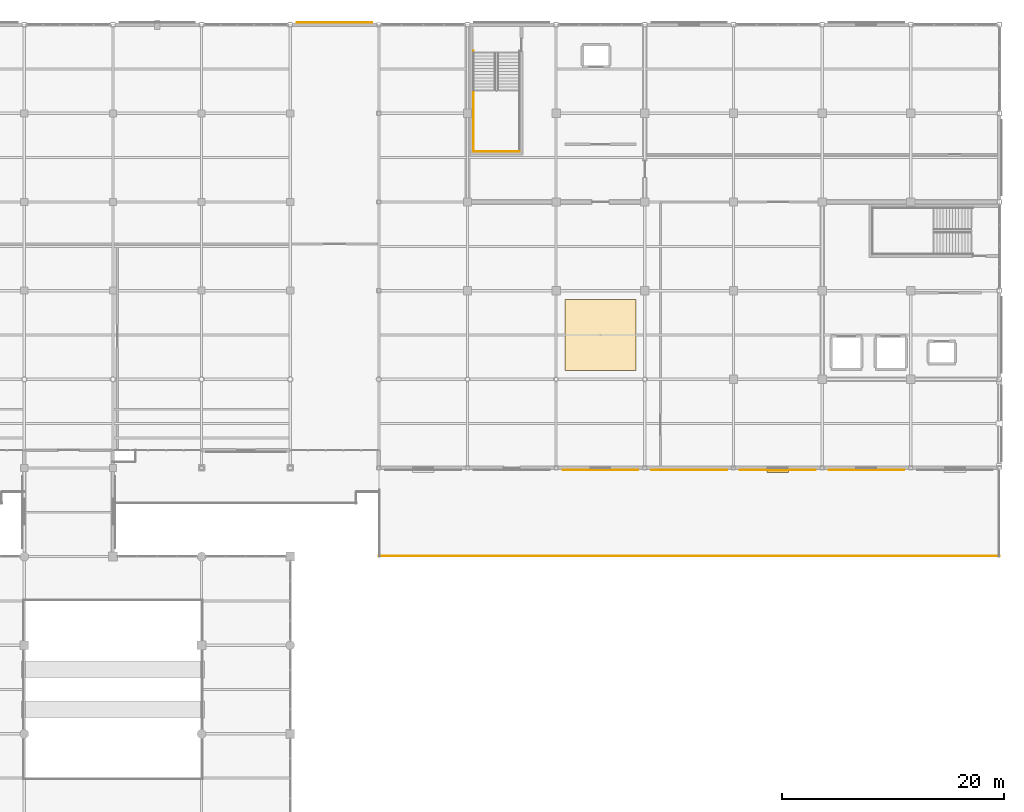
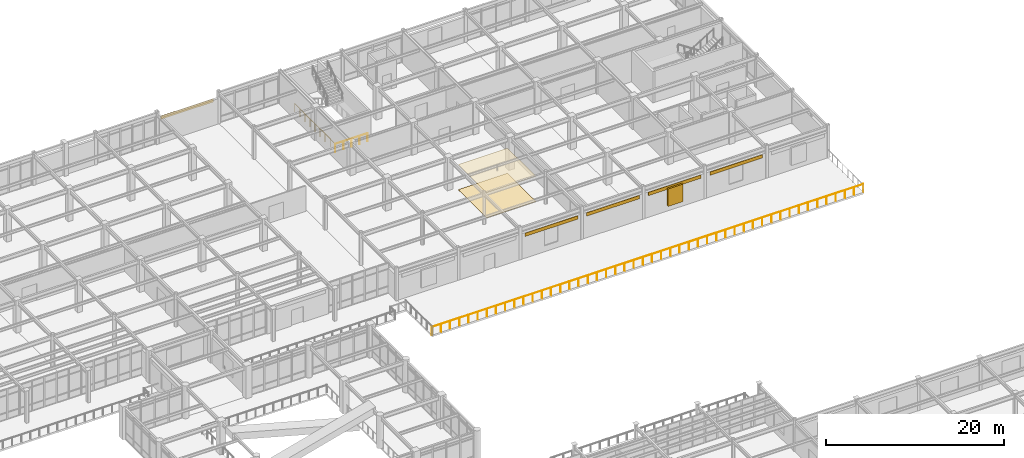
# One storey, part 107 of 111: 7 coverings, 3 railings, 1 shading device.
"""IFC4 building model written with IfcOpenShell, lengths in metres."""

from ifc_helpers import new_model, si_unit, direction, frame, origin, origin_2d, place, context, subcontext, project, spatial, polyline, rectangle, circle, outline, extrude, material, layer, layer_set, type_object, element, save


model = new_model("IFC4")

# Units and contexts
model_context = context("Model", 3, precision=1e-05, world=origin(), true_north=direction((0.0, 1.0)))
body_context = subcontext(model_context, "Body", "Model", "MODEL_VIEW")
ifc_project = project(units=[si_unit("LENGTHUNIT", "METRE"), si_unit("AREAUNIT", "SQUARE_METRE"), si_unit("VOLUMEUNIT", "CUBIC_METRE"), si_unit("PLANEANGLEUNIT", "RADIAN"), si_unit("MASSUNIT", "GRAM", prefix="KILO")], contexts=[model_context])

# Site, building, storey
site_placement = place(None, origin())
site = spatial("IfcSite", under=ifc_project, at=site_placement, CompositionType="ELEMENT")
building_placement = place(site_placement, origin())
building = spatial("IfcBuilding", under=site, at=building_placement, Name="Solmirada Galleria", CompositionType="ELEMENT")
storey_placement = place(building_placement, frame((0.0, 0.0, 10.39990234375)))
storey = spatial("IfcBuildingStorey", under=building, at=storey_placement, Name="L02", CompositionType="ELEMENT", Elevation=10.39990234375)

# Coverings
ifc_material_1 = material(Name="Perforated acoustic mineral-fibre ceiling")
ifc_layer_1 = layer(ifc_material_1, 0.02490234375)
ifc_layer_set_1 = layer_set([ifc_layer_1], Name="Perforated acoustic mineral-fibre ceiling")
covering_type_1 = type_object("IfcCoveringType", Name="COV-CEIL-ACOUST", PredefinedType="CEILING", material=ifc_layer_set_1)
covering_1_placement = place(storey_placement, frame((0.0, 0.0, 3.4501953125)))
element("IfcCovering", 1, at=covering_1_placement, inside=storey, type_object=covering_type_1, Name="Acoustic ceiling panel L02-3", PredefinedType="CEILING", context=body_context, shape_type="SweptSolid", body=[
    extrude(outline(polyline([(136.800048828125, 88.800048828125), (143.199951171875, 88.800048828125), (143.199951171875, 95.199951171875), (136.800048828125, 95.199951171875), (136.800048828125, 88.800048828125)])), origin(), (0.0, 0.0, 1.0), 0.02490234375),
])
ifc_material_2 = material(Name="Limestone cladding panels", Category="masonry")
ifc_layer_2 = layer(ifc_material_2, 0.044921875)
ifc_layer_set_2 = layer_set([ifc_layer_2], Name="Limestone cladding panels")
covering_type_2 = type_object("IfcCoveringType", Name="COV-CLAD-LIME", PredefinedType="CLADDING", material=ifc_layer_set_2)
covering_2_placement = place(storey_placement, frame((116.0, 120.177490234375, 2.990234375), z_axis=(0.0, 0.0, 1.0), x_axis=(1.0, 0.0, 0.0)))
element("IfcCovering", 2, at=covering_2_placement, inside=storey, type_object=covering_type_2, Name="Postmodern facade cladding L02-155", PredefinedType="CLADDING", context=body_context, shape_type="SweptSolid", body=[
    extrude(rectangle(XDim=6.819091796875, YDim=0.044921875, at=origin_2d()), origin(), (0.0, 0.0, 1.0), 0.4599609375),
])
for number, where, z_axis, x_axis, name in (
    (3, (164.0, 79.822509765625, 2.990234375), (0.0, 0.0, 1.0), (-1.0, 0.0, 0.0), "Postmodern facade cladding L02-163"),
    (4, (148.0, 79.822509765625, 2.990234375), (0.0, 0.0, 1.0), (-1.0, 0.0, 0.0), "Postmodern facade cladding L02-165"),
):
    element("IfcCovering", number, at=place(storey_placement, frame(where, z_axis=z_axis, x_axis=x_axis)), inside=storey, type_object=covering_type_2, Name=name, PredefinedType="CLADDING", context=body_context, shape_type="SweptSolid", body=[
        extrude(rectangle(XDim=6.843994140625, YDim=0.044921875, at=origin_2d()), origin(), (0.0, 0.0, 1.0), 0.4599609375),
    ])
ifc_material_3 = material(Name="Glazed terracotta facade panels", Category="masonry")
ifc_layer_3 = layer(ifc_material_3, 0.0400390625)
ifc_layer_set_3 = layer_set([ifc_layer_3], Name="Glazed terracotta facade panels")
covering_type_3 = type_object("IfcCoveringType", Name="COV-CLAD-TERRA", PredefinedType="CLADDING", material=ifc_layer_set_3)
for number, where, z_axis, x_axis, name in (
    (5, (156.0, 79.824951171875, 2.990234375), (0.0, 0.0, 1.0), (-1.0, 0.0, 0.0), "Postmodern facade cladding L02-164"),
    (6, (140.0, 79.824951171875, 2.990234375), (0.0, 0.0, 1.0), (-1.0, 0.0, 0.0), "Postmodern facade cladding L02-166"),
):
    element("IfcCovering", number, at=place(storey_placement, frame(where, z_axis=z_axis, x_axis=x_axis)), inside=storey, type_object=covering_type_3, Name=name, PredefinedType="CLADDING", context=body_context, shape_type="SweptSolid", body=[
        extrude(rectangle(XDim=6.843994140625, YDim=0.0400390625, at=origin_2d()), origin(), (0.0, 0.0, 1.0), 0.4599609375),
    ])
ifc_material_4 = material(Name="Polished terrazzo and porcelain tile flooring")
ifc_layer_4 = layer(ifc_material_4, 0.030029296875)
ifc_layer_set_4 = layer_set([ifc_layer_4], Name="Polished terrazzo and porcelain tile flooring")
covering_type_4 = type_object("IfcCoveringType", Name="COV-FLOOR-TERRAZ", PredefinedType="FLOORING", material=ifc_layer_set_4)
covering_3_placement = place(storey_placement, origin())
element("IfcCovering", 7, at=covering_3_placement, inside=storey, type_object=covering_type_4, Name="Terrazzo floor finish L02-3", PredefinedType="FLOORING", context=body_context, shape_type="SweptSolid", body=[
    extrude(outline(polyline([(136.800048828125, 88.800048828125), (143.199951171875, 88.800048828125), (143.199951171875, 95.199951171875), (136.800048828125, 95.199951171875), (136.800048828125, 88.800048828125)])), origin(), (0.0, 0.0, 1.0), 0.030029296875),
])

# Railings
ifc_material_5 = material(Name="Painted steel tubular railing", Category="steel")
railing_type_1 = type_object("IfcRailingType", Name="RAIL-STAIR-GUARD", PredefinedType="GUARDRAIL", material=ifc_material_5)
railing_1_placement = place(storey_placement, frame((132.7099609375, 108.5400390625, 0.0)))
element("IfcRailing", 8, at=railing_1_placement, inside=storey, type_object=railing_type_1, Name="Stair ST3 well edge guard L02-2", PredefinedType="GUARDRAIL", context=body_context, shape_type="SweptSolid", body=[
    extrude(circle(Radius=0.02392578125, at=origin_2d()), frame((0.0, 0.0, 1.09619140625), z_axis=(-1.0, 0.0, 0.0), x_axis=(0.0, -1.0, 0.0)), (0.0, 0.0, 1.0), 4.169921875),
    extrude(circle(Radius=0.02099609375, at=origin_2d()), origin(), (0.0, 0.0, 1.0), 1.068115234375),
    extrude(circle(Radius=0.02099609375, at=origin_2d()), frame((-1.04248046875, 0.0, 0.0)), (0.0, 0.0, 1.0), 1.068115234375),
    extrude(circle(Radius=0.02099609375, at=origin_2d()), frame((-2.0849609375, 0.0, 0.0)), (0.0, 0.0, 1.0), 1.068115234375),
    extrude(circle(Radius=0.02099609375, at=origin_2d()), frame((-3.12744140625, 0.0, 0.0)), (0.0, 0.0, 1.0), 1.068115234375),
    extrude(circle(Radius=0.02099609375, at=origin_2d()), frame((-4.169921875, 0.0, 0.0)), (0.0, 0.0, 1.0), 1.068115234375),
])
railing_2_placement = place(storey_placement, frame((128.5400390625, 108.5400390625, 0.0)))
element("IfcRailing", 9, at=railing_2_placement, inside=storey, type_object=railing_type_1, Name="Stair ST3 well edge guard L02-3", PredefinedType="GUARDRAIL", context=body_context, shape_type="SweptSolid", body=[
    extrude(circle(Radius=0.02392578125, at=origin_2d()), frame((0.0, 0.0, 1.09619140625), z_axis=(0.0, 1.0, 0.0), x_axis=(-1.0, 0.0, 0.0)), (0.0, 0.0, 1.0), 9.10986328125),
    extrude(circle(Radius=0.02099609375, at=origin_2d()), origin(), (0.0, 0.0, 1.0), 1.068115234375),
    extrude(circle(Radius=0.02099609375, at=origin_2d()), frame((0.0, 1.138671875, 0.0)), (0.0, 0.0, 1.0), 1.068115234375),
    extrude(circle(Radius=0.02099609375, at=origin_2d()), frame((0.0, 2.27734375, 0.0)), (0.0, 0.0, 1.0), 1.068115234375),
    extrude(circle(Radius=0.02099609375, at=origin_2d()), frame((0.0, 3.416259765625, 0.0)), (0.0, 0.0, 1.0), 1.068115234375),
    extrude(circle(Radius=0.02099609375, at=origin_2d()), frame((0.0, 4.554931640625, 0.0)), (0.0, 0.0, 1.0), 1.068115234375),
    extrude(circle(Radius=0.02099609375, at=origin_2d()), frame((0.0, 5.693603515625, 0.0)), (0.0, 0.0, 1.0), 1.068115234375),
    extrude(circle(Radius=0.02099609375, at=origin_2d()), frame((0.0, 6.83251953125, 0.0)), (0.0, 0.0, 1.0), 1.068115234375),
    extrude(circle(Radius=0.02099609375, at=origin_2d()), frame((0.0, 7.97119140625, 0.0)), (0.0, 0.0, 1.0), 1.068115234375),
    extrude(circle(Radius=0.02099609375, at=origin_2d()), frame((0.0, 9.10986328125, 0.0)), (0.0, 0.0, 1.0), 1.068115234375),
])
ifc_material_6 = material(Name="Painted galvanized steel balustrade", Category="steel")
railing_type_2 = type_object("IfcRailingType", Name="RAIL-TERR-1100", PredefinedType="GUARDRAIL", material=ifc_material_6)
railing_3_placement = place(storey_placement, frame((120.0, 72.050048828125, 0.0)))
element("IfcRailing", 10, at=railing_3_placement, inside=storey, type_object=railing_type_2, Name="Terrace guardrail L02-TERR-WING E1.1", PredefinedType="GUARDRAIL", context=body_context, shape_type="SweptSolid", body=[
    extrude(circle(Radius=0.02392578125, at=origin_2d()), frame((0.0, 0.0, 1.09619140625), z_axis=(1.0, 0.0, 0.0), x_axis=(0.0, 1.0, 0.0)), (0.0, 0.0, 1.0), 56.0),
    extrude(circle(Radius=0.02099609375, at=origin_2d()), origin(), (0.0, 0.0, 1.0), 1.068115234375),
    extrude(circle(Radius=0.02099609375, at=origin_2d()), frame((1.19140625, 0.0, 0.0)), (0.0, 0.0, 1.0), 1.068115234375),
    extrude(circle(Radius=0.02099609375, at=origin_2d()), frame((2.383056640625, 0.0, 0.0)), (0.0, 0.0, 1.0), 1.068115234375),
    extrude(circle(Radius=0.02099609375, at=origin_2d()), frame((3.574462890625, 0.0, 0.0)), (0.0, 0.0, 1.0), 1.068115234375),
    extrude(circle(Radius=0.02099609375, at=origin_2d()), frame((4.765869140625, 0.0, 0.0)), (0.0, 0.0, 1.0), 1.068115234375),
    extrude(circle(Radius=0.02099609375, at=origin_2d()), frame((5.95751953125, 0.0, 0.0)), (0.0, 0.0, 1.0), 1.068115234375),
    extrude(circle(Radius=0.02099609375, at=origin_2d()), frame((7.14892578125, 0.0, 0.0)), (0.0, 0.0, 1.0), 1.068115234375),
    extrude(circle(Radius=0.02099609375, at=origin_2d()), frame((8.34033203125, 0.0, 0.0)), (0.0, 0.0, 1.0), 1.068115234375),
    extrude(circle(Radius=0.02099609375, at=origin_2d()), frame((9.531982421875, 0.0, 0.0)), (0.0, 0.0, 1.0), 1.068115234375),
    extrude(circle(Radius=0.02099609375, at=origin_2d()), frame((10.723388671875, 0.0, 0.0)), (0.0, 0.0, 1.0), 1.068115234375),
    extrude(circle(Radius=0.02099609375, at=origin_2d()), frame((11.914794921875, 0.0, 0.0)), (0.0, 0.0, 1.0), 1.068115234375),
    extrude(circle(Radius=0.02099609375, at=origin_2d()), frame((13.1064453125, 0.0, 0.0)), (0.0, 0.0, 1.0), 1.068115234375),
    extrude(circle(Radius=0.02099609375, at=origin_2d()), frame((14.2978515625, 0.0, 0.0)), (0.0, 0.0, 1.0), 1.068115234375),
    extrude(circle(Radius=0.02099609375, at=origin_2d()), frame((15.4892578125, 0.0, 0.0)), (0.0, 0.0, 1.0), 1.068115234375),
    extrude(circle(Radius=0.02099609375, at=origin_2d()), frame((16.680908203125, 0.0, 0.0)), (0.0, 0.0, 1.0), 1.068115234375),
    extrude(circle(Radius=0.02099609375, at=origin_2d()), frame((17.872314453125, 0.0, 0.0)), (0.0, 0.0, 1.0), 1.068115234375),
    extrude(circle(Radius=0.02099609375, at=origin_2d()), frame((19.063720703125, 0.0, 0.0)), (0.0, 0.0, 1.0), 1.068115234375),
    extrude(circle(Radius=0.02099609375, at=origin_2d()), frame((20.25537109375, 0.0, 0.0)), (0.0, 0.0, 1.0), 1.068115234375),
    extrude(circle(Radius=0.02099609375, at=origin_2d()), frame((21.44677734375, 0.0, 0.0)), (0.0, 0.0, 1.0), 1.068115234375),
    extrude(circle(Radius=0.02099609375, at=origin_2d()), frame((22.63818359375, 0.0, 0.0)), (0.0, 0.0, 1.0), 1.068115234375),
    extrude(circle(Radius=0.02099609375, at=origin_2d()), frame((23.829833984375, 0.0, 0.0)), (0.0, 0.0, 1.0), 1.068115234375),
    extrude(circle(Radius=0.02099609375, at=origin_2d()), frame((25.021240234375, 0.0, 0.0)), (0.0, 0.0, 1.0), 1.068115234375),
    extrude(circle(Radius=0.02099609375, at=origin_2d()), frame((26.212646484375, 0.0, 0.0)), (0.0, 0.0, 1.0), 1.068115234375),
    extrude(circle(Radius=0.02099609375, at=origin_2d()), frame((27.404296875, 0.0, 0.0)), (0.0, 0.0, 1.0), 1.068115234375),
    extrude(circle(Radius=0.02099609375, at=origin_2d()), frame((28.595703125, 0.0, 0.0)), (0.0, 0.0, 1.0), 1.068115234375),
    extrude(circle(Radius=0.02099609375, at=origin_2d()), frame((29.787353515625, 0.0, 0.0)), (0.0, 0.0, 1.0), 1.068115234375),
    extrude(circle(Radius=0.02099609375, at=origin_2d()), frame((30.978759765625, 0.0, 0.0)), (0.0, 0.0, 1.0), 1.068115234375),
    extrude(circle(Radius=0.02099609375, at=origin_2d()), frame((32.170166015625, 0.0, 0.0)), (0.0, 0.0, 1.0), 1.068115234375),
    extrude(circle(Radius=0.02099609375, at=origin_2d()), frame((33.36181640625, 0.0, 0.0)), (0.0, 0.0, 1.0), 1.068115234375),
    extrude(circle(Radius=0.02099609375, at=origin_2d()), frame((34.55322265625, 0.0, 0.0)), (0.0, 0.0, 1.0), 1.068115234375),
    extrude(circle(Radius=0.02099609375, at=origin_2d()), frame((35.74462890625, 0.0, 0.0)), (0.0, 0.0, 1.0), 1.068115234375),
    extrude(circle(Radius=0.02099609375, at=origin_2d()), frame((36.936279296875, 0.0, 0.0)), (0.0, 0.0, 1.0), 1.068115234375),
    extrude(circle(Radius=0.02099609375, at=origin_2d()), frame((38.127685546875, 0.0, 0.0)), (0.0, 0.0, 1.0), 1.068115234375),
    extrude(circle(Radius=0.02099609375, at=origin_2d()), frame((39.319091796875, 0.0, 0.0)), (0.0, 0.0, 1.0), 1.068115234375),
    extrude(circle(Radius=0.02099609375, at=origin_2d()), frame((40.5107421875, 0.0, 0.0)), (0.0, 0.0, 1.0), 1.068115234375),
    extrude(circle(Radius=0.02099609375, at=origin_2d()), frame((41.7021484375, 0.0, 0.0)), (0.0, 0.0, 1.0), 1.068115234375),
    extrude(circle(Radius=0.02099609375, at=origin_2d()), frame((42.8935546875, 0.0, 0.0)), (0.0, 0.0, 1.0), 1.068115234375),
    extrude(circle(Radius=0.02099609375, at=origin_2d()), frame((44.085205078125, 0.0, 0.0)), (0.0, 0.0, 1.0), 1.068115234375),
    extrude(circle(Radius=0.02099609375, at=origin_2d()), frame((45.276611328125, 0.0, 0.0)), (0.0, 0.0, 1.0), 1.068115234375),
    extrude(circle(Radius=0.02099609375, at=origin_2d()), frame((46.468017578125, 0.0, 0.0)), (0.0, 0.0, 1.0), 1.068115234375),
    extrude(circle(Radius=0.02099609375, at=origin_2d()), frame((47.65966796875, 0.0, 0.0)), (0.0, 0.0, 1.0), 1.068115234375),
    extrude(circle(Radius=0.02099609375, at=origin_2d()), frame((48.85107421875, 0.0, 0.0)), (0.0, 0.0, 1.0), 1.068115234375),
    extrude(circle(Radius=0.02099609375, at=origin_2d()), frame((50.04248046875, 0.0, 0.0)), (0.0, 0.0, 1.0), 1.068115234375),
    extrude(circle(Radius=0.02099609375, at=origin_2d()), frame((51.234130859375, 0.0, 0.0)), (0.0, 0.0, 1.0), 1.068115234375),
    extrude(circle(Radius=0.02099609375, at=origin_2d()), frame((52.425537109375, 0.0, 0.0)), (0.0, 0.0, 1.0), 1.068115234375),
    extrude(circle(Radius=0.02099609375, at=origin_2d()), frame((53.616943359375, 0.0, 0.0)), (0.0, 0.0, 1.0), 1.068115234375),
    extrude(circle(Radius=0.02099609375, at=origin_2d()), frame((54.80859375, 0.0, 0.0)), (0.0, 0.0, 1.0), 1.068115234375),
    extrude(circle(Radius=0.02099609375, at=origin_2d()), frame((56.0, 0.0, 0.0)), (0.0, 0.0, 1.0), 1.068115234375),
])

# Shading device
ifc_material_7 = material(Name="Extruded aluminium storm louvres", Category="aluminium")
shading_device_type = type_object("IfcShadingDeviceType", Name="SHD-JALOUSIE", PredefinedType="JALOUSIE", material=ifc_material_7)
shading_device_placement = place(storey_placement, frame((156.0, 79.715087890625, 0.800048828125), z_axis=(0.0, 0.0, 1.0), x_axis=(-1.0, 0.0, 0.0)))
element("IfcShadingDevice", 11, at=shading_device_placement, inside=storey, type_object=shading_device_type, Name="Hurricane storm jalousie louvre 059", PredefinedType="JALOUSIE", context=body_context, shape_type="SweptSolid", body=[
    extrude(rectangle(XDim=1.9599609375, YDim=0.260009765625, at=origin_2d()), origin(), (0.0, 0.0, 1.0), 2.39990234375),
])

save(model, "model.ifc")
